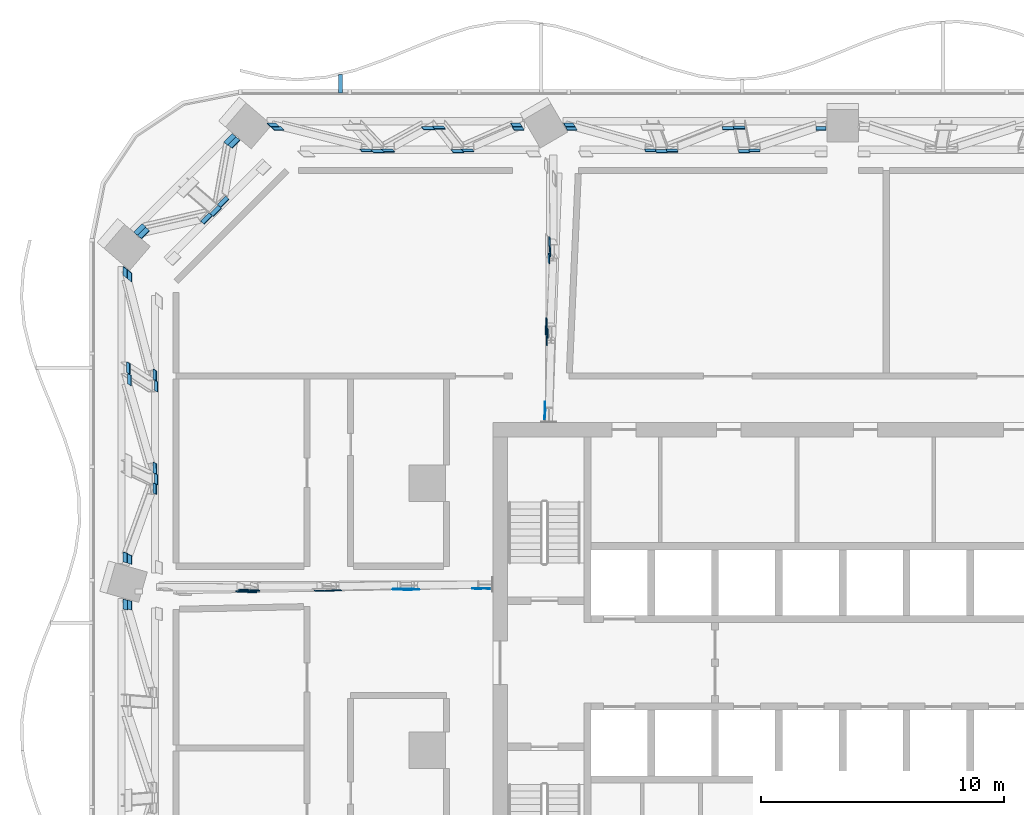
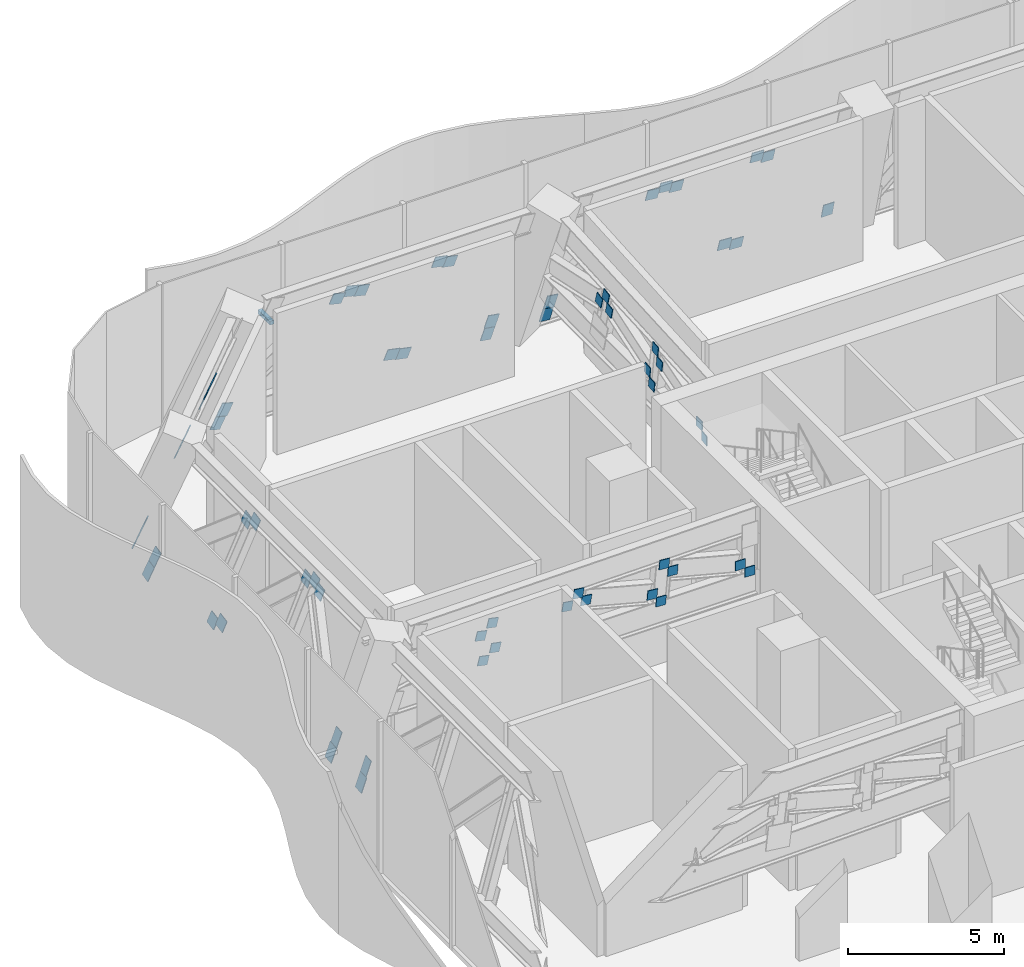
# One storey, part 23 of 32: 64 discrete accessories.
"""IFC4 building model written with IfcOpenShell, lengths in metres."""

from ifc_helpers import new_model, si_unit, direction, frame, origin, origin_2d, place, context, subcontext, project, spatial, rectangle, extrude, material, layer, layer_set, type_object, element, save


model = new_model("IFC4")

# Units and contexts
model_context = context("Model", 3, precision=1e-05, world=origin(), true_north=direction((0.0, 1.0)))
body_context = subcontext(model_context, "Body", "Model", "MODEL_VIEW")
ifc_project = project(units=[si_unit("LENGTHUNIT", "METRE"), si_unit("AREAUNIT", "SQUARE_METRE"), si_unit("VOLUMEUNIT", "CUBIC_METRE"), si_unit("PLANEANGLEUNIT", "RADIAN"), si_unit("MASSUNIT", "GRAM", prefix="KILO")], contexts=[model_context])

# Site, building, storey
site_placement = place(None, origin())
site = spatial("IfcSite", under=ifc_project, at=site_placement, CompositionType="ELEMENT")
building_placement = place(site_placement, origin())
building = spatial("IfcBuilding", under=site, at=building_placement, Name="Mopane Tessera Tower", CompositionType="ELEMENT")
storey_placement = place(building_placement, frame((0.0, 0.0, 88.60009765625)))
storey = spatial("IfcBuildingStorey", under=building, at=storey_placement, Name="L17", CompositionType="ELEMENT", Elevation=88.60009765625)

# Discrete accessories
ifc_material_1 = material(Name="Stainless steel S316", Category="steel")
discrete_accessory_type_1 = type_object("IfcDiscreteAccessoryType", Name="Louvre bracket 150 x 150", PredefinedType="BRACKET", material=ifc_material_1)
discrete_accessory_1_placement = place(storey_placement, frame((-20.666748046875, 27.442626953125, 2.489990234375), z_axis=(0.0, 0.0, 1.0), x_axis=(0.0, 1.0, 0.0)))
element("IfcDiscreteAccessory", 1, at=discrete_accessory_1_placement, inside=storey, type_object=discrete_accessory_type_1, Name="e:lv:L17:N:2:br1", PredefinedType="BRACKET", context=body_context, shape_type="SweptSolid", body=[
    extrude(rectangle(XDim=0.76513671875, YDim=0.14990234375, at=origin_2d()), origin(), (0.0, 0.0, 1.0), 0.14990234375),
])
ifc_material_2 = material(Name="Structural steel S460", Category="steel")
ifc_layer = layer(ifc_material_2, 0.030029296875)
ifc_layer_set = layer_set([ifc_layer], Name="Structural steel S460")
discrete_accessory_type_2 = type_object("IfcDiscreteAccessoryType", Name="Truss node plate 30 mm", PredefinedType="BRACKET", material=ifc_layer_set)
discrete_accessory_2_placement = place(storey_placement, frame((-14.713134765625, 6.657470703125, 2.924560546875), z_axis=(0.005991891135, -0.001997297045, 0.999980053824), x_axis=(-0.040581963088, -0.999174675891, -0.001752520879)))
element("IfcDiscreteAccessory", 2, at=discrete_accessory_2_placement, inside=storey, type_object=discrete_accessory_type_2, Name="Truss node plate s ot L17 W1 0", PredefinedType="BRACKET", context=body_context, shape_type="SweptSolid", body=[
    extrude(rectangle(XDim=0.030029296875, YDim=0.36669921875, at=origin_2d()), origin(), (0.0, 0.0, 1.0), 0.36669921875),
])
discrete_accessory_3_placement = place(storey_placement, frame((-15.067626953125, 6.654296875, 3.30126953125), z_axis=(0.013323161282, -0.003996948385, 0.999903254209), x_axis=(-0.010340183096, -0.999939091298, -0.003859314381)))
element("IfcDiscreteAccessory", 3, at=discrete_accessory_3_placement, inside=storey, type_object=discrete_accessory_type_2, Name="Truss node plate s ot L17 W1 2", PredefinedType="BRACKET", context=body_context, shape_type="SweptSolid", body=[
    extrude(rectangle(XDim=0.030029296875, YDim=0.36669921875, at=origin_2d()), origin(), (0.0, 0.0, 1.0), 0.366455078125),
])
for number, where, z_axis, x_axis, name in (
    (4, (-17.604248046875, 6.623779296875, 3.98193359375), (0.065757205028, -0.019262211574, 0.99764971668), (-0.005032684569, -0.999807346147, -0.018972155304), "Truss node plate s ot L17 W1 3"),
    (5, (-18.033203125, 6.641845703125, 2.924560546875), (0.073024605033, -0.020579661418, 0.997117788727), (0.004944618345, -0.99976732247, -0.020996468052), "Truss node plate s ot L17 W1 4"),
):
    element("IfcDiscreteAccessory", number, at=place(storey_placement, frame(where, z_axis=z_axis, x_axis=x_axis)), inside=storey, type_object=discrete_accessory_type_2, Name=name, PredefinedType="BRACKET", context=body_context, shape_type="SweptSolid", body=[
        extrude(rectangle(XDim=0.030029296875, YDim=0.36669921875, at=origin_2d()), origin(), (0.0, 0.0, 1.0), 0.36767578125),
    ])
discrete_accessory_4_placement = place(storey_placement, frame((-17.9287109375, 6.612060546875, 4.358642578125), z_axis=(0.073071959603, -0.021257297339, 0.997100103314), x_axis=(-0.003460081871, -0.999772211556, -0.021060694047)))
element("IfcDiscreteAccessory", 6, at=discrete_accessory_4_placement, inside=storey, type_object=discrete_accessory_type_2, Name="Truss node plate s ot L17 W1 5", PredefinedType="BRACKET", context=body_context, shape_type="SweptSolid", body=[
    extrude(rectangle(XDim=0.030029296875, YDim=0.36669921875, at=origin_2d()), origin(), (0.0, 0.0, 1.0), 0.367431640625),
])
discrete_accessory_5_placement = place(storey_placement, frame((-18.362548828125, 6.631591796875, 3.30126953125), z_axis=(0.0796709129, -0.023237349596, 0.996550335518), x_axis=(-0.004461302397, -0.999726550833, -0.022954745497)))
element("IfcDiscreteAccessory", 7, at=discrete_accessory_5_placement, inside=storey, type_object=discrete_accessory_type_2, Name="Truss node plate s ot L17 W1 6", PredefinedType="BRACKET", context=body_context, shape_type="SweptSolid", body=[
    extrude(rectangle(XDim=0.030029296875, YDim=0.36669921875, at=origin_2d()), origin(), (0.0, 0.0, 1.0), 0.36767578125),
])
discrete_accessory_6_placement = place(storey_placement, frame((-20.853759765625, 6.587890625, 3.98193359375), z_axis=(0.131249416504, -0.037594053974, 0.990636299443), x_axis=(-0.002757748487, -0.99929067765, -0.037557108307)))
element("IfcDiscreteAccessory", 8, at=discrete_accessory_6_placement, inside=storey, type_object=discrete_accessory_type_2, Name="Truss node plate s ot L17 W1 7", PredefinedType="BRACKET", context=body_context, shape_type="SweptSolid", body=[
    extrude(rectangle(XDim=0.030029296875, YDim=0.36669921875, at=origin_2d()), origin(), (0.0, 0.0, 1.0), 0.3701171875),
])
discrete_accessory_7_placement = place(storey_placement, frame((-21.153076171875, 6.569091796875, 4.358642578125), z_axis=(0.137802071333, -0.039560403253, 0.989669421388), x_axis=(-0.003884641974, -0.999215923679, -0.039401109426)))
element("IfcDiscreteAccessory", 9, at=discrete_accessory_7_placement, inside=storey, type_object=discrete_accessory_type_2, Name="Truss node plate s ot L17 W1 9", PredefinedType="BRACKET", context=body_context, shape_type="SweptSolid", body=[
    extrude(rectangle(XDim=0.030029296875, YDim=0.36669921875, at=origin_2d()), origin(), (0.0, 0.0, 1.0), 0.370361328125),
])
discrete_accessory_8_placement = place(storey_placement, frame((-21.5576171875, 6.580078125, 3.98193359375), z_axis=(0.145444666474, -0.041461601755, 0.988497235491), x_axis=(-0.002619836206, -0.999134143433, -0.041522281781)))
element("IfcDiscreteAccessory", 10, at=discrete_accessory_8_placement, inside=storey, type_object=discrete_accessory_type_2, Name="Truss node plate s ot L17 W1 10", PredefinedType="BRACKET", context=body_context, shape_type="SweptSolid", body=[
    extrude(rectangle(XDim=0.030029296875, YDim=0.36669921875, at=origin_2d()), origin(), (0.0, 0.0, 1.0), 0.370849609375),
])
discrete_accessory_9_placement = place(storey_placement, frame((-24.238525390625, 6.5908203125, 3.30126953125), z_axis=(0.194433897759, -0.055459333253, 0.979346578979), x_axis=(-0.007622334248, -0.998455707977, -0.055028167603)))
element("IfcDiscreteAccessory", 11, at=discrete_accessory_9_placement, inside=storey, type_object=discrete_accessory_type_2, Name="Truss node plate s ot L17 W1 11", PredefinedType="BRACKET", context=body_context, shape_type="SweptSolid", body=[
    extrude(rectangle(XDim=0.030029296875, YDim=0.36669921875, at=origin_2d()), origin(), (0.0, 0.0, 1.0), 0.374267578125),
])
discrete_accessory_10_placement = place(storey_placement, frame((-24.673095703125, 6.6103515625, 2.924560546875), z_axis=(0.201799310747, -0.057284965631, 0.977750208844), x_axis=(-0.007167763328, -0.998347740875, -0.05701237987)))
element("IfcDiscreteAccessory", 12, at=discrete_accessory_10_placement, inside=storey, type_object=discrete_accessory_type_2, Name="Truss node plate s ot L17 W1 12", PredefinedType="BRACKET", context=body_context, shape_type="SweptSolid", body=[
    extrude(rectangle(XDim=0.030029296875, YDim=0.36669921875, at=origin_2d()), origin(), (0.0, 0.0, 1.0), 0.375),
])
discrete_accessory_11_placement = place(storey_placement, frame((-24.3779296875, 6.526123046875, 4.356689453125), z_axis=(0.201120707662, -0.057370971096, 0.977884979241), x_axis=(-0.008412074544, -0.998347781904, -0.056841387826)))
element("IfcDiscreteAccessory", 13, at=discrete_accessory_11_placement, inside=storey, type_object=discrete_accessory_type_2, Name="Truss node plate s ot L17 W1 13", PredefinedType="BRACKET", context=body_context, shape_type="SweptSolid", body=[
    extrude(rectangle(XDim=0.030029296875, YDim=0.37060546875, at=origin_2d()), origin(), (0.0, 0.0, 1.0), 0.378662109375),
])
discrete_accessory_12_placement = place(storey_placement, frame((-24.796875, 6.544921875, 3.97607421875), z_axis=(0.207748102916, -0.059816017248, 0.976351765408), x_axis=(-0.011660781017, -0.998209094863, -0.058673921972)))
element("IfcDiscreteAccessory", 14, at=discrete_accessory_12_placement, inside=storey, type_object=discrete_accessory_type_2, Name="Truss node plate s ot L17 W1 14", PredefinedType="BRACKET", context=body_context, shape_type="SweptSolid", body=[
    extrude(rectangle(XDim=0.030029296875, YDim=0.37060546875, at=origin_2d()), origin(), (0.0, 0.0, 1.0), 0.379638671875),
])
for number, where, z_axis, x_axis, name in (
    (15, (-12.25634765625, 13.815185546875, 2.92333984375), (0.003308976262, -0.006617952524, 0.999972626316), (-0.997501440742, 0.070545590314, 0.003767679091), "Truss node plate s ot L17 N3 0"),
    (16, (-12.249755859375, 14.162353515625, 3.30224609375), (0.008602424679, -0.013896224482, 0.999866437698), (-0.999762427987, -0.020145457236, 0.008321546633), "Truss node plate s ot L17 N3 2"),
):
    element("IfcDiscreteAccessory", number, at=place(storey_placement, frame(where, z_axis=z_axis, x_axis=x_axis)), inside=storey, type_object=discrete_accessory_type_2, Name=name, PredefinedType="BRACKET", context=body_context, shape_type="SweptSolid", body=[
        extrude(rectangle(XDim=0.030029296875, YDim=0.368896484375, at=origin_2d()), origin(), (0.0, 0.0, 1.0), 0.368896484375),
    ])
discrete_accessory_13_placement = place(storey_placement, frame((-12.179443359375, 16.865966796875, 3.978515625), z_axis=(0.042204589319, -0.0731985846, 0.996423975952), x_axis=(-0.999045823101, 0.008122513221, 0.042912330672)))
element("IfcDiscreteAccessory", 17, at=discrete_accessory_13_placement, inside=storey, type_object=discrete_accessory_type_2, Name="Truss node plate s ot L17 N3 3", PredefinedType="BRACKET", context=body_context, shape_type="SweptSolid", body=[
    extrude(rectangle(XDim=0.030029296875, YDim=0.368896484375, at=origin_2d()), origin(), (0.0, 0.0, 1.0), 0.3701171875),
])
for number, where, z_axis, x_axis, name in (
    (18, (-12.220947265625, 17.295654296875, 2.92333984375), (0.046785044026, -0.08039120241, 0.99566481018), (-0.998879005408, 0.003422998317, 0.047212452137), "Truss node plate s ot L17 N3 4"),
    (19, (-12.153564453125, 17.18017578125, 4.357421875), (0.046785044026, -0.08039120241, 0.99566481018), (-0.998879005408, 0.003422998317, 0.047212452137), "Truss node plate s ot L17 N3 5"),
):
    element("IfcDiscreteAccessory", number, at=place(storey_placement, frame(where, z_axis=z_axis, x_axis=x_axis)), inside=storey, type_object=discrete_accessory_type_2, Name=name, PredefinedType="BRACKET", context=body_context, shape_type="SweptSolid", body=[
        extrude(rectangle(XDim=0.030029296875, YDim=0.368896484375, at=origin_2d()), origin(), (0.0, 0.0, 1.0), 0.37060546875),
    ])
discrete_accessory_14_placement = place(storey_placement, frame((-12.19775390625, 17.614990234375, 3.30224609375), z_axis=(0.050698078092, -0.087569407614, 0.994867480486), x_axis=(-0.99866947707, 0.004963594224, 0.05132872784)))
element("IfcDiscreteAccessory", 20, at=discrete_accessory_14_placement, inside=storey, type_object=discrete_accessory_type_2, Name="Truss node plate s ot L17 N3 6", PredefinedType="BRACKET", context=body_context, shape_type="SweptSolid", body=[
    extrude(rectangle(XDim=0.030029296875, YDim=0.368896484375, at=origin_2d()), origin(), (0.0, 0.0, 1.0), 0.370849609375),
])
discrete_accessory_15_placement = place(storey_placement, frame((-12.098388671875, 20.268310546875, 3.978515625), z_axis=(0.084167407351, -0.144846235906, 0.985867848894), x_axis=(-0.99642125909, -0.004510007428, 0.084405771525)))
element("IfcDiscreteAccessory", 21, at=discrete_accessory_15_placement, inside=storey, type_object=discrete_accessory_type_2, Name="Truss node plate s ot L17 N3 7", PredefinedType="BRACKET", context=body_context, shape_type="SweptSolid", body=[
    extrude(rectangle(XDim=0.030029296875, YDim=0.368896484375, at=origin_2d()), origin(), (0.0, 0.0, 1.0), 0.374267578125),
])
discrete_accessory_16_placement = place(storey_placement, frame((-12.05615234375, 20.5546875, 4.357421875), z_axis=(0.088596566099, -0.152438209318, 0.984333907176), x_axis=(-0.996037649646, -0.005895987467, 0.08873690224)))
element("IfcDiscreteAccessory", 22, at=discrete_accessory_16_placement, inside=storey, type_object=discrete_accessory_type_2, Name="Truss node plate s ot L17 N3 9", PredefinedType="BRACKET", context=body_context, shape_type="SweptSolid", body=[
    extrude(rectangle(XDim=0.030029296875, YDim=0.368896484375, at=origin_2d()), origin(), (0.0, 0.0, 1.0), 0.374755859375),
])
discrete_accessory_17_placement = place(storey_placement, frame((-12.082763671875, 20.94873046875, 3.9736328125), z_axis=(0.092877559967, -0.15866583161, 0.982954176315), x_axis=(-0.995666888191, -0.010234357585, 0.092426758487)))
element("IfcDiscreteAccessory", 23, at=discrete_accessory_17_placement, inside=storey, type_object=discrete_accessory_type_2, Name="Truss node plate s ot L17 N3 10", PredefinedType="BRACKET", context=body_context, shape_type="SweptSolid", body=[
    extrude(rectangle(XDim=0.030029296875, YDim=0.3720703125, at=origin_2d()), origin(), (0.0, 0.0, 1.0), 0.37841796875),
])
discrete_accessory_18_placement = place(storey_placement, frame((-0.892822265625, 25.659912109375, 0.694091796875), z_axis=(0.010257005021, -0.242321743623, 0.970141724912), x_axis=(-0.002587430327, -0.970195945132, -0.242307930644)))
element("IfcDiscreteAccessory", 24, at=discrete_accessory_18_placement, inside=storey, type_object=discrete_accessory_type_2, Name="Truss node plate s bt L17 N2-N3 0", PredefinedType="BRACKET", context=body_context, shape_type="SweptSolid", body=[
    extrude(rectangle(XDim=0.030029296875, YDim=0.40576171875, at=origin_2d()), origin(), (0.0, 0.0, 1.0), 0.5712890625),
])
discrete_accessory_19_placement = place(storey_placement, frame((-3.639404296875, 24.744873046875, 4.354736328125), z_axis=(0.043837515232, -0.242426740864, 0.969178800621), x_axis=(-0.010575111225, -0.970169644861, -0.242196257635)))
element("IfcDiscreteAccessory", 25, at=discrete_accessory_19_placement, inside=storey, type_object=discrete_accessory_type_2, Name="Truss node plate s bt L17 N2-N3 3", PredefinedType="BRACKET", context=body_context, shape_type="SweptSolid", body=[
    extrude(rectangle(XDim=0.030029296875, YDim=0.447998046875, at=origin_2d()), origin(), (0.0, 0.0, 1.0), 0.462158203125),
])
discrete_accessory_20_placement = place(storey_placement, frame((-4.2666015625, 25.687255859375, 0.58447265625), z_axis=(0.048994939459, -0.241880280064, 0.969068328872), x_axis=(-0.011779416116, -0.970306009563, -0.241593652982)))
element("IfcDiscreteAccessory", 26, at=discrete_accessory_20_placement, inside=storey, type_object=discrete_accessory_type_2, Name="Truss node plate s bt L17 N2-N3 4", PredefinedType="BRACKET", context=body_context, shape_type="SweptSolid", body=[
    extrude(rectangle(XDim=0.030029296875, YDim=0.458740234375, at=origin_2d()), origin(), (0.0, 0.0, 1.0), 0.473388671875),
])
discrete_accessory_21_placement = place(storey_placement, frame((-4.068115234375, 24.70556640625, 4.511962890625), z_axis=(0.049107090182, -0.242367251546, 0.968940972955), x_axis=(-0.01175221749, -0.970184448755, -0.242082673434)))
element("IfcDiscreteAccessory", 27, at=discrete_accessory_21_placement, inside=storey, type_object=discrete_accessory_type_2, Name="Truss node plate s bt L17 N2-N3 5", PredefinedType="BRACKET", context=body_context, shape_type="SweptSolid", body=[
    extrude(rectangle(XDim=0.030029296875, YDim=0.447998046875, at=origin_2d()), origin(), (0.0, 0.0, 1.0), 0.46240234375),
])
discrete_accessory_22_placement = place(storey_placement, frame((-4.726318359375, 25.6513671875, 0.728515625), z_axis=(0.054645150311, -0.242294534396, 0.968662617297), x_axis=(-0.012392986357, -0.970201975888, -0.241980453493)))
element("IfcDiscreteAccessory", 28, at=discrete_accessory_22_placement, inside=storey, type_object=discrete_accessory_type_2, Name="Truss node plate s bt L17 N2-N3 6", PredefinedType="BRACKET", context=body_context, shape_type="SweptSolid", body=[
    extrude(rectangle(XDim=0.030029296875, YDim=0.458740234375, at=origin_2d()), origin(), (0.0, 0.0, 1.0), 0.4736328125),
])
discrete_accessory_23_placement = place(storey_placement, frame((-7.048583984375, 24.742919921875, 4.362548828125), z_axis=(0.084880698475, -0.241781383536, 0.966611105669), x_axis=(-0.019721118385, -0.970329750779, -0.240979775589)))
element("IfcDiscreteAccessory", 29, at=discrete_accessory_23_placement, inside=storey, type_object=discrete_accessory_type_2, Name="Truss node plate s bt L17 N2-N3 7", PredefinedType="BRACKET", context=body_context, shape_type="SweptSolid", body=[
    extrude(rectangle(XDim=0.030029296875, YDim=0.458740234375, at=origin_2d()), origin(), (0.0, 0.0, 1.0), 0.474609375),
])
discrete_accessory_24_placement = place(storey_placement, frame((-7.4814453125, 24.70556640625, 4.511962890625), z_axis=(0.089513292067, -0.24168588858, 0.966217005545), x_axis=(-0.023467724819, -0.970353866002, -0.240546545654)))
element("IfcDiscreteAccessory", 30, at=discrete_accessory_24_placement, inside=storey, type_object=discrete_accessory_type_2, Name="Truss node plate s bt L17 N2-N3 9", PredefinedType="BRACKET", context=body_context, shape_type="SweptSolid", body=[
    extrude(rectangle(XDim=0.030029296875, YDim=0.447998046875, at=origin_2d()), origin(), (0.0, 0.0, 1.0), 0.463623046875),
])
discrete_accessory_25_placement = place(storey_placement, frame((-7.9326171875, 24.744873046875, 4.354736328125), z_axis=(0.094732827198, -0.241568709355, 0.965748543935), x_axis=(-0.024612727269, -0.970383197722, -0.240313676755)))
element("IfcDiscreteAccessory", 31, at=discrete_accessory_25_placement, inside=storey, type_object=discrete_accessory_type_2, Name="Truss node plate s bt L17 N2-N3 10", PredefinedType="BRACKET", context=body_context, shape_type="SweptSolid", body=[
    extrude(rectangle(XDim=0.030029296875, YDim=0.447998046875, at=origin_2d()), origin(), (0.0, 0.0, 1.0), 0.4638671875),
])
discrete_accessory_26_placement = place(storey_placement, frame((-11.204345703125, 25.659912109375, 0.694091796875), z_axis=(0.128012158594, -0.240340708354, 0.962210596055), x_axis=(-0.030761397295, -0.970688161616, -0.238365746984)))
element("IfcDiscreteAccessory", 32, at=discrete_accessory_26_placement, inside=storey, type_object=discrete_accessory_type_2, Name="Truss node plate s bt L17 N2-N3 12", PredefinedType="BRACKET", context=body_context, shape_type="SweptSolid", body=[
    extrude(rectangle(XDim=0.030029296875, YDim=0.40576171875, at=origin_2d()), origin(), (0.0, 0.0, 1.0), 0.575927734375),
])
discrete_accessory_27_placement = place(storey_placement, frame((-11.287109375, 25.801025390625, 0.1298828125), z_axis=(0.127999107731, -0.24074004368, 0.96211249851), x_axis=(-0.031804946472, -0.970589629187, -0.238629874689)))
element("IfcDiscreteAccessory", 33, at=discrete_accessory_27_placement, inside=storey, type_object=discrete_accessory_type_2, Name="Truss node plate s bt L17 N2-N3 13", PredefinedType="BRACKET", context=body_context, shape_type="SweptSolid", body=[
    extrude(rectangle(XDim=0.030029296875, YDim=0.390380859375, at=origin_2d()), origin(), (0.0, 0.0, 1.0), 0.575927734375),
])
discrete_accessory_28_placement = place(storey_placement, frame((-13.474365234375, 25.80029296875, 0.1328125), z_axis=(0.152055103728, -0.239614924695, 0.958886819856), x_axis=(-0.037756363596, -0.97086798147, -0.236621680251)))
element("IfcDiscreteAccessory", 34, at=discrete_accessory_28_placement, inside=storey, type_object=discrete_accessory_type_2, Name="Truss node plate s bt L17 N3-N4 0", PredefinedType="BRACKET", context=body_context, shape_type="SweptSolid", body=[
    extrude(rectangle(XDim=0.030029296875, YDim=0.390380859375, at=origin_2d()), origin(), (0.0, 0.0, 1.0), 0.571533203125),
])
discrete_accessory_29_placement = place(storey_placement, frame((-13.398681640625, 25.66064453125, 0.69091796875), z_axis=(0.152055103728, -0.239614924695, 0.958886819856), x_axis=(-0.038205989264, -0.970867778637, -0.236550330351)))
element("IfcDiscreteAccessory", 35, at=discrete_accessory_29_placement, inside=storey, type_object=discrete_accessory_type_2, Name="Truss node plate s bt L17 N3-N4 1", PredefinedType="BRACKET", context=body_context, shape_type="SweptSolid", body=[
    extrude(rectangle(XDim=0.030029296875, YDim=0.416259765625, at=origin_2d()), origin(), (0.0, 0.0, 1.0), 0.571533203125),
])
discrete_accessory_30_placement = place(storey_placement, frame((-15.475830078125, 24.743896484375, 4.3583984375), z_axis=(0.182942937712, -0.238442480614, 0.953769922455), x_axis=(-0.044999912522, -0.97115661801, -0.234157705764)))
element("IfcDiscreteAccessory", 36, at=discrete_accessory_30_placement, inside=storey, type_object=discrete_accessory_type_2, Name="Truss node plate s bt L17 N3-N4 3", PredefinedType="BRACKET", context=body_context, shape_type="SweptSolid", body=[
    extrude(rectangle(XDim=0.030029296875, YDim=0.453125, at=origin_2d()), origin(), (0.0, 0.0, 1.0), 0.47509765625),
])
discrete_accessory_31_placement = place(storey_placement, frame((-16.66259765625, 25.68798828125, 0.581787109375), z_axis=(0.187969310847, -0.238094460406, 0.952879093119), x_axis=(-0.045969926117, -0.97124199669, -0.233614532422)))
element("IfcDiscreteAccessory", 37, at=discrete_accessory_31_placement, inside=storey, type_object=discrete_accessory_type_2, Name="Truss node plate s bt L17 N3-N4 4", PredefinedType="BRACKET", context=body_context, shape_type="SweptSolid", body=[
    extrude(rectangle(XDim=0.030029296875, YDim=0.464111328125, at=origin_2d()), origin(), (0.0, 0.0, 1.0), 0.487060546875),
])
discrete_accessory_32_placement = place(storey_placement, frame((-15.8876953125, 24.7060546875, 4.50927734375), z_axis=(0.187902738225, -0.238215493269, 0.952861973076), x_axis=(-0.046385430543, -0.971212279649, -0.233655942984)))
element("IfcDiscreteAccessory", 38, at=discrete_accessory_32_placement, inside=storey, type_object=discrete_accessory_type_2, Name="Truss node plate s bt L17 N3-N4 5", PredefinedType="BRACKET", context=body_context, shape_type="SweptSolid", body=[
    extrude(rectangle(XDim=0.030029296875, YDim=0.453125, at=origin_2d()), origin(), (0.0, 0.0, 1.0), 0.4755859375),
])
discrete_accessory_33_placement = place(storey_placement, frame((-17.10791015625, 25.65380859375, 0.718994140625), z_axis=(0.193279927083, -0.237844469857, 0.951878604626), x_axis=(-0.046761662262, -0.971303089808, -0.233203033154)))
element("IfcDiscreteAccessory", 39, at=discrete_accessory_33_placement, inside=storey, type_object=discrete_accessory_type_2, Name="Truss node plate s bt L17 N3-N4 6", PredefinedType="BRACKET", context=body_context, shape_type="SweptSolid", body=[
    extrude(rectangle(XDim=0.030029296875, YDim=0.464111328125, at=origin_2d()), origin(), (0.0, 0.0, 1.0), 0.487548828125),
])
discrete_accessory_34_placement = place(storey_placement, frame((-18.76806640625, 24.74169921875, 4.36669921875), z_axis=(0.220045150359, -0.23647386068, 0.946393282425), x_axis=(-0.053679292363, -0.971637842795, -0.230300751238)))
element("IfcDiscreteAccessory", 40, at=discrete_accessory_34_placement, inside=storey, type_object=discrete_accessory_type_2, Name="Truss node plate s bt L17 N3-N4 7", PredefinedType="BRACKET", context=body_context, shape_type="SweptSolid", body=[
    extrude(rectangle(XDim=0.030029296875, YDim=0.464111328125, at=origin_2d()), origin(), (0.0, 0.0, 1.0), 0.490478515625),
])
discrete_accessory_35_placement = place(storey_placement, frame((-19.18603515625, 24.7060546875, 4.50927734375), z_axis=(0.225106363988, -0.236310753146, 0.945243012584), x_axis=(-0.055030987681, -0.971677491083, -0.229813932817)))
element("IfcDiscreteAccessory", 41, at=discrete_accessory_35_placement, inside=storey, type_object=discrete_accessory_type_2, Name="Truss node plate s bt L17 N3-N4 9", PredefinedType="BRACKET", context=body_context, shape_type="SweptSolid", body=[
    extrude(rectangle(XDim=0.030029296875, YDim=0.453125, at=origin_2d()), origin(), (0.0, 0.0, 1.0), 0.4794921875),
])
discrete_accessory_36_placement = place(storey_placement, frame((-19.66357421875, 24.743896484375, 4.3583984375), z_axis=(0.229932835172, -0.236037246725, 0.944148986902), x_axis=(-0.056309246774, -0.971743900392, -0.22922273181)))
element("IfcDiscreteAccessory", 42, at=discrete_accessory_36_placement, inside=storey, type_object=discrete_accessory_type_2, Name="Truss node plate s bt L17 N3-N4 10", PredefinedType="BRACKET", context=body_context, shape_type="SweptSolid", body=[
    extrude(rectangle(XDim=0.030029296875, YDim=0.453125, at=origin_2d()), origin(), (0.0, 0.0, 1.0), 0.47998046875),
])
discrete_accessory_37_placement = place(storey_placement, frame((-23.33837890625, 25.66064453125, 0.69091796875), z_axis=(0.259191654575, -0.234148982635, 0.937013308406), x_axis=(-0.062425625308, -0.972200727181, -0.225674073333)))
element("IfcDiscreteAccessory", 43, at=discrete_accessory_37_placement, inside=storey, type_object=discrete_accessory_type_2, Name="Truss node plate s bt L17 N3-N4 12", PredefinedType="BRACKET", context=body_context, shape_type="SweptSolid", body=[
    extrude(rectangle(XDim=0.030029296875, YDim=0.416259765625, at=origin_2d()), origin(), (0.0, 0.0, 1.0), 0.5849609375),
])
discrete_accessory_38_placement = place(storey_placement, frame((-23.514892578125, 25.80029296875, 0.1328125), z_axis=(0.259580929663, -0.234123635918, 0.936911876357), x_axis=(-0.062172614904, -0.972206771361, -0.225717876287)))
element("IfcDiscreteAccessory", 44, at=discrete_accessory_38_placement, inside=storey, type_object=discrete_accessory_type_2, Name="Truss node plate s bt L17 N3-N4 13", PredefinedType="BRACKET", context=body_context, shape_type="SweptSolid", body=[
    extrude(rectangle(XDim=0.030029296875, YDim=0.372314453125, at=origin_2d()), origin(), (0.0, 0.0, 1.0), 0.5849609375),
])
discrete_accessory_39_placement = place(storey_placement, frame((-25.1240234375, 25.075927734375, 0.673095703125), z_axis=(0.272062642078, -0.23338707041, 0.933548281639), x_axis=(0.652692412918, -0.668110469881, -0.357240834949)))
element("IfcDiscreteAccessory", 45, at=discrete_accessory_39_placement, inside=storey, type_object=discrete_accessory_type_2, Name="Truss node plate s bt L17 N4-W0 0", PredefinedType="BRACKET", context=body_context, shape_type="SweptSolid", body=[
    extrude(rectangle(XDim=0.030029296875, YDim=0.468505859375, at=origin_2d()), origin(), (0.0, 0.0, 1.0), 0.549072265625),
])
discrete_accessory_40_placement = place(storey_placement, frame((-25.283935546875, 25.198974609375, 0.150634765625), z_axis=(0.272062642078, -0.23338707041, 0.933548281639), x_axis=(0.652692412918, -0.668110469881, -0.357240834949)))
element("IfcDiscreteAccessory", 46, at=discrete_accessory_40_placement, inside=storey, type_object=discrete_accessory_type_2, Name="Truss node plate s bt L17 N4-W0 1", PredefinedType="BRACKET", context=body_context, shape_type="SweptSolid", body=[
    extrude(rectangle(XDim=0.030029296875, YDim=0.489990234375, at=origin_2d()), origin(), (0.0, 0.0, 1.0), 0.549072265625),
])
for number, where, z_axis, x_axis, name in (
    (47, (-25.55859375, 22.633056640625, 4.380615234375), (0.27246266647, -0.233471499541, 0.933410496128), (0.652953692211, -0.667663805199, -0.357598264895), "Truss node plate s bt L17 N4-W0 3"),
    (48, (-25.870849609375, 22.25830078125, 4.496337890625), (0.272022378243, -0.233501726779, 0.933531343516), (0.652468533197, -0.668305609361, -0.357284796324), "Truss node plate s bt L17 N4-W0 5"),
    (49, (-26.25048828125, 21.941162109375, 4.380615234375), (0.272022378243, -0.233501726779, 0.933531343516), (0.652468533197, -0.668305609361, -0.357284796324), "Truss node plate s bt L17 N4-W0 6"),
):
    element("IfcDiscreteAccessory", number, at=place(storey_placement, frame(where, z_axis=z_axis, x_axis=x_axis)), inside=storey, type_object=discrete_accessory_type_2, Name=name, PredefinedType="BRACKET", context=body_context, shape_type="SweptSolid", body=[
        extrude(rectangle(XDim=0.030029296875, YDim=0.479248046875, at=origin_2d()), origin(), (0.0, 0.0, 1.0), 0.513427734375),
    ])
discrete_accessory_41_placement = place(storey_placement, frame((-28.99267578125, 21.490234375, 0.150634765625), z_axis=(0.272062642078, -0.23338707041, 0.933548281639), x_axis=(0.652692412918, -0.668110469881, -0.357240834949)))
element("IfcDiscreteAccessory", 50, at=discrete_accessory_41_placement, inside=storey, type_object=discrete_accessory_type_2, Name="Truss node plate s bt L17 N4-W0 7", PredefinedType="BRACKET", context=body_context, shape_type="SweptSolid", body=[
    extrude(rectangle(XDim=0.030029296875, YDim=0.489990234375, at=origin_2d()), origin(), (0.0, 0.0, 1.0), 0.549072265625),
])
discrete_accessory_42_placement = place(storey_placement, frame((-28.847900390625, 21.35205078125, 0.673095703125), z_axis=(0.272474209673, -0.233358825576, 0.933435302305), x_axis=(0.65314566036, -0.667510467534, -0.35753394536)))
element("IfcDiscreteAccessory", 51, at=discrete_accessory_42_placement, inside=storey, type_object=discrete_accessory_type_2, Name="Truss node plate s bt L17 N4-W0 9", PredefinedType="BRACKET", context=body_context, shape_type="SweptSolid", body=[
    extrude(rectangle(XDim=0.030029296875, YDim=0.468505859375, at=origin_2d()), origin(), (0.0, 0.0, 1.0), 0.54931640625),
])
discrete_accessory_43_placement = place(storey_placement, frame((-29.427978515625, 19.5947265625, 0.704345703125), z_axis=(0.273066160465, -0.220201823723, 0.936453965146), x_axis=(0.961995249969, 0.062611506351, -0.265791155437)))
element("IfcDiscreteAccessory", 52, at=discrete_accessory_43_placement, inside=storey, type_object=discrete_accessory_type_2, Name="Truss node plate s bt L17 W0-W1 0", PredefinedType="BRACKET", context=body_context, shape_type="SweptSolid", body=[
    extrude(rectangle(XDim=0.030029296875, YDim=0.367919921875, at=origin_2d()), origin(), (0.0, 0.0, 1.0), 0.6142578125),
])
discrete_accessory_44_placement = place(storey_placement, frame((-29.5986328125, 19.73046875, 0.119384765625), z_axis=(0.273167835843, -0.220283815221, 0.936405026798), x_axis=(0.961966388342, 0.062588078691, -0.265901109637)))
element("IfcDiscreteAccessory", 53, at=discrete_accessory_44_placement, inside=storey, type_object=discrete_accessory_type_2, Name="Truss node plate s bt L17 W0-W1 1", PredefinedType="BRACKET", context=body_context, shape_type="SweptSolid", body=[
    extrude(rectangle(XDim=0.030029296875, YDim=0.37158203125, at=origin_2d()), origin(), (0.0, 0.0, 1.0), 0.614013671875),
])
discrete_accessory_45_placement = place(storey_placement, frame((-28.36669921875, 15.485595703125, 4.34326171875), z_axis=(0.275008328131, -0.183696969181, 0.943729751026), x_axis=(0.961441359005, 0.05155821215, -0.27013378899)))
element("IfcDiscreteAccessory", 54, at=discrete_accessory_45_placement, inside=storey, type_object=discrete_accessory_type_2, Name="Truss node plate s bt L17 W0-W1 3", PredefinedType="BRACKET", context=body_context, shape_type="SweptSolid", body=[
    extrude(rectangle(XDim=0.030029296875, YDim=0.428955078125, at=origin_2d()), origin(), (0.0, 0.0, 1.0), 0.45458984375),
])
discrete_accessory_46_placement = place(storey_placement, frame((-29.460205078125, 15.7763671875, 0.59423828125), z_axis=(0.275643687036, -0.17851210208, 0.944539034243), x_axis=(0.961259680858, 0.051822017722, -0.270729208685)))
element("IfcDiscreteAccessory", 55, at=discrete_accessory_46_placement, inside=storey, type_object=discrete_accessory_type_2, Name="Truss node plate s bt L17 W0-W1 4", PredefinedType="BRACKET", context=body_context, shape_type="SweptSolid", body=[
    extrude(rectangle(XDim=0.030029296875, YDim=0.439208984375, at=origin_2d()), origin(), (0.0, 0.0, 1.0), 0.465087890625),
])
discrete_accessory_47_placement = place(storey_placement, frame((-28.314697265625, 15.03369140625, 4.521484375), z_axis=(0.275249643643, -0.17901978776, 0.944557859141), x_axis=(0.961371923529, 0.04993885159, -0.270684568735)))
element("IfcDiscreteAccessory", 56, at=discrete_accessory_47_placement, inside=storey, type_object=discrete_accessory_type_2, Name="Truss node plate s bt L17 W0-W1 5", PredefinedType="BRACKET", context=body_context, shape_type="SweptSolid", body=[
    extrude(rectangle(XDim=0.030029296875, YDim=0.428955078125, at=origin_2d()), origin(), (0.0, 0.0, 1.0), 0.4541015625),
])
discrete_accessory_48_placement = place(storey_placement, frame((-29.411376953125, 15.29736328125, 0.761474609375), z_axis=(0.275898588569, -0.173421969958, 0.94541249683), x_axis=(0.961186141527, 0.050885880675, -0.271167528449)))
element("IfcDiscreteAccessory", 57, at=discrete_accessory_48_placement, inside=storey, type_object=discrete_accessory_type_2, Name="Truss node plate s bt L17 W0-W1 6", PredefinedType="BRACKET", context=body_context, shape_type="SweptSolid", body=[
    extrude(rectangle(XDim=0.030029296875, YDim=0.439208984375, at=origin_2d()), origin(), (0.0, 0.0, 1.0), 0.464599609375),
])
discrete_accessory_49_placement = place(storey_placement, frame((-28.364990234375, 11.642822265625, 4.34912109375), z_axis=(0.277445161023, -0.138458347025, 0.950712085105), x_axis=(0.960739985523, 0.041727010209, -0.274294616856)))
element("IfcDiscreteAccessory", 58, at=discrete_accessory_49_placement, inside=storey, type_object=discrete_accessory_type_2, Name="Truss node plate s bt L17 W0-W1 7", PredefinedType="BRACKET", context=body_context, shape_type="SweptSolid", body=[
    extrude(rectangle(XDim=0.030029296875, YDim=0.439208984375, at=origin_2d()), origin(), (0.0, 0.0, 1.0), 0.4619140625),
])
discrete_accessory_50_placement = place(storey_placement, frame((-28.314697265625, 11.190673828125, 4.521484375), z_axis=(0.277235213041, -0.134285806317, 0.951371619753), x_axis=(0.960801201907, 0.037408951728, -0.274702786197)))
element("IfcDiscreteAccessory", 59, at=discrete_accessory_50_placement, inside=storey, type_object=discrete_accessory_type_2, Name="Truss node plate s bt L17 W0-W1 9", PredefinedType="BRACKET", context=body_context, shape_type="SweptSolid", body=[
    extrude(rectangle(XDim=0.030029296875, YDim=0.428955078125, at=origin_2d()), origin(), (0.0, 0.0, 1.0), 0.450927734375),
])
discrete_accessory_51_placement = place(storey_placement, frame((-28.36669921875, 10.79736328125, 4.34326171875), z_axis=(0.277432944586, -0.128962970335, 0.952050163353), x_axis=(0.960745001671, 0.037183736039, -0.27492983021)))
element("IfcDiscreteAccessory", 60, at=discrete_accessory_51_placement, inside=storey, type_object=discrete_accessory_type_2, Name="Truss node plate s bt L17 W0-W1 10", PredefinedType="BRACKET", context=body_context, shape_type="SweptSolid", body=[
    extrude(rectangle(XDim=0.030029296875, YDim=0.428955078125, at=origin_2d()), origin(), (0.0, 0.0, 1.0), 0.450439453125),
])
discrete_accessory_52_placement = place(storey_placement, frame((-29.5986328125, 7.962158203125, 0.119384765625), z_axis=(0.278886741167, -0.09093250367, 0.956009134568), x_axis=(0.960323839916, 0.025832219806, -0.277688348529)))
element("IfcDiscreteAccessory", 61, at=discrete_accessory_52_placement, inside=storey, type_object=discrete_accessory_type_2, Name="Truss node plate s bt L17 W0-W1 12", PredefinedType="BRACKET", context=body_context, shape_type="SweptSolid", body=[
    extrude(rectangle(XDim=0.030029296875, YDim=0.403564453125, at=origin_2d()), origin(), (0.0, 0.0, 1.0), 0.601318359375),
])
discrete_accessory_53_placement = place(storey_placement, frame((-29.427978515625, 7.888916015625, 0.704345703125), z_axis=(0.278788808288, -0.090494766009, 0.956079231915), x_axis=(0.960352428845, 0.026387708143, -0.277537207004)))
element("IfcDiscreteAccessory", 62, at=discrete_accessory_53_placement, inside=storey, type_object=discrete_accessory_type_2, Name="Truss node plate s bt L17 W0-W1 13", PredefinedType="BRACKET", context=body_context, shape_type="SweptSolid", body=[
    extrude(rectangle(XDim=0.030029296875, YDim=0.367919921875, at=origin_2d()), origin(), (0.0, 0.0, 1.0), 0.6015625),
])
discrete_accessory_54_placement = place(storey_placement, frame((-29.427490234375, 5.997314453125, 0.706298828125), z_axis=(0.279393886163, -0.06904097476, 0.957691182051), x_axis=(0.960176546557, 0.019844248642, -0.278688365809)))
element("IfcDiscreteAccessory", 63, at=discrete_accessory_54_placement, inside=storey, type_object=discrete_accessory_type_2, Name="Truss node plate s bt L17 W1-W2 0", PredefinedType="BRACKET", context=body_context, shape_type="SweptSolid", body=[
    extrude(rectangle(XDim=0.030029296875, YDim=0.360595703125, at=origin_2d()), origin(), (0.0, 0.0, 1.0), 0.604736328125),
])
discrete_accessory_55_placement = place(storey_placement, frame((-29.599365234375, 6.01806640625, 0.117431640625), z_axis=(0.279509732978, -0.068665685847, 0.95768435967), x_axis=(0.960142816393, 0.020285656239, -0.278772782532)))
element("IfcDiscreteAccessory", 64, at=discrete_accessory_55_placement, inside=storey, type_object=discrete_accessory_type_2, Name="Truss node plate s bt L17 W1-W2 1", PredefinedType="BRACKET", context=body_context, shape_type="SweptSolid", body=[
    extrude(rectangle(XDim=0.030029296875, YDim=0.403564453125, at=origin_2d()), origin(), (0.0, 0.0, 1.0), 0.6044921875),
])

save(model, "model.ifc")
